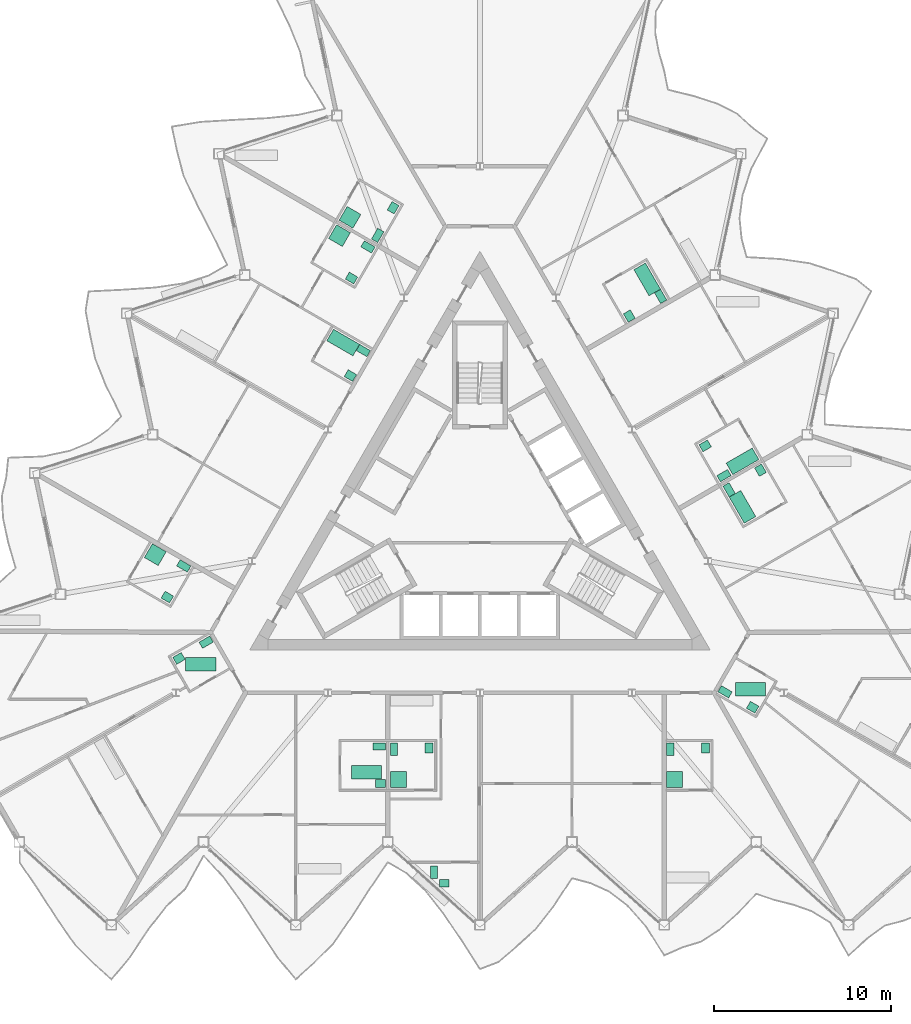
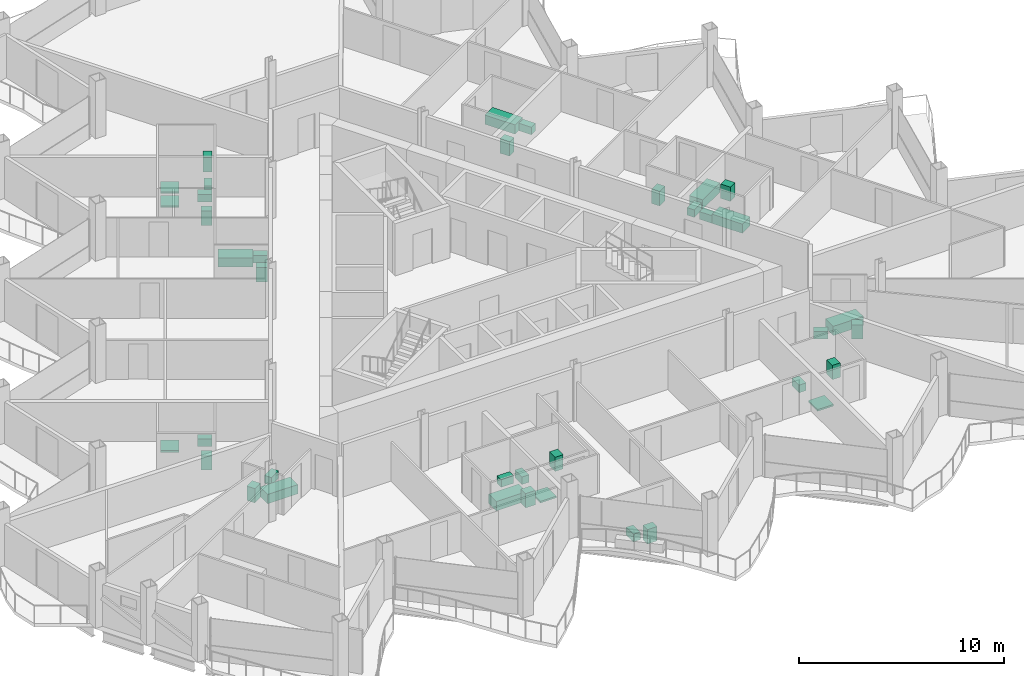
# One storey, part 25 of 26: 38 sanitary terminals.
"""IFC4 building model written with IfcOpenShell, lengths in metres."""

import ifcopenshell
import ifcopenshell.guid

model = None  # the IFC model being written
_history = None  # IfcOwnerHistory: only IFC2X3 demands one
_inside = {}  # id of a spatial element -> (the spatial element, [elements in it])
_under = {}  # id of a project, library or spatial element -> (it, [spatial elements below it])
_declared = {}  # id of a project -> (the project, [libraries it declares])
_typed = {}  # id of a type object -> (the type object, [elements of that type])
_made_of = {}  # id of a material, layer set ... -> (it, [elements and type objects made of it])


def new_model(schema):
    """Start an empty IFC model of exactly this schema.

    Asked for "IFC4X3", IfcOpenShell would pick the latest addendum, in which some entities
    have other attributes; the version numbers below select the first issue.
    IFC2X3 requires an IfcOwnerHistory on every rooted entity: one is made here for all.
    """
    global model, _history
    if schema == "IFC4X3":
        model = ifcopenshell.file(schema_version=(4, 3, 0, 0))
    else:
        model = ifcopenshell.file(schema=schema)
    _inside.clear()
    _under.clear()
    _declared.clear()
    _typed.clear()
    _made_of.clear()
    _history = None
    if model.schema == "IFC2X3":
        org = make("IfcOrganization", Name="unknown")
        user = make(
            "IfcPersonAndOrganization",
            ThePerson=make("IfcPerson", FamilyName="unknown"),
            TheOrganization=org,
        )
        app = make(
            "IfcApplication",
            ApplicationDeveloper=org,
            Version="unknown",
            ApplicationFullName="unknown",
            ApplicationIdentifier="unknown",
        )
        _history = make(
            "IfcOwnerHistory",
            OwningUser=user,
            OwningApplication=app,
            ChangeAction="ADDED",
            CreationDate=0,
        )
    return model


def make(cls, **values):
    """One entity of the class cls with the attributes given. An attribute that is None is left unset."""
    return model.create_entity(
        cls, **{name: value for name, value in values.items() if value is not None}
    )


def rooted(cls, **values):
    """An entity with a GlobalId (a new one), such as an element, a storey or a relation."""
    return make(cls, GlobalId=ifcopenshell.guid.new(), OwnerHistory=_history, **values)


def si_unit(unit_type, name, prefix=None):
    """IfcSIUnit, for example si_unit("LENGTHUNIT", "METRE", prefix="MILLI")."""
    return make("IfcSIUnit", UnitType=unit_type, Prefix=prefix, Name=name)


def assignment(units):
    """IfcUnitAssignment: the units of a project."""
    return None if units is None else make("IfcUnitAssignment", Units=units)


def point(xyz):
    """IfcCartesianPoint."""
    return None if xyz is None else make("IfcCartesianPoint", Coordinates=xyz)


def direction(xyz):
    """IfcDirection."""
    return None if xyz is None else make("IfcDirection", DirectionRatios=xyz)


def frame(location, z_axis=None, x_axis=None):
    """IfcAxis2Placement3D, a coordinate frame: its origin and axes. An axis left out is left unset."""
    return make(
        "IfcAxis2Placement3D",
        Location=point(location),
        Axis=direction(z_axis),
        RefDirection=direction(x_axis),
    )


def frame_2d(location, x_axis=None):
    """IfcAxis2Placement2D, a coordinate frame in the plane: its origin and x axis."""
    return make(
        "IfcAxis2Placement2D", Location=point(location), RefDirection=direction(x_axis)
    )


def origin():
    """The frame at (0, 0, 0) with its axes left unset."""
    return frame((0.0, 0.0, 0.0))


def origin_2d():
    """The frame at (0, 0) in the plane with its x axis left unset."""
    return frame_2d((0.0, 0.0))


def place(relative_to, where):
    """IfcLocalPlacement: puts the frame where relative to a parent placement (None: the world)."""
    return make(
        "IfcLocalPlacement", PlacementRelTo=relative_to, RelativePlacement=where
    )


def context(
    kind, dimensions, precision=None, world=None, true_north=None, identifier=None
):
    """IfcGeometricRepresentationContext, for example the 3D "Model" context."""
    return make(
        "IfcGeometricRepresentationContext",
        ContextIdentifier=identifier,
        ContextType=kind,
        CoordinateSpaceDimension=dimensions,
        Precision=precision,
        WorldCoordinateSystem=world,
        TrueNorth=true_north,
    )


def subcontext(parent, identifier, kind, view, scale=None):
    """IfcGeometricRepresentationSubContext, for example "Body" below "Model"."""
    return make(
        "IfcGeometricRepresentationSubContext",
        ContextIdentifier=identifier,
        ContextType=kind,
        ParentContext=parent,
        TargetScale=scale,
        TargetView=view,
    )


def project(units=None, contexts=None):
    """IfcProject with its units and contexts."""
    return rooted(
        "IfcProject",
        Name="project",
        RepresentationContexts=contexts,
        UnitsInContext=assignment(units),
    )


def spatial(cls, under=None, at=None, **own):
    """A site, building, storey or space (cls), placed at a placement, below another one or the project."""
    s = rooted(cls, ObjectPlacement=at, **own)
    if under is not None:
        _under.setdefault(under.id(), (under, []))[1].append(s)
    return s


def profile(cls, at=None, kind="AREA", **sizes):
    """A parametric profile (cls). Its sizes go by their IFC names, for example OverallWidth=200.0."""
    return make(cls, ProfileType=kind, Position=at, **sizes)


def rectangle(**sizes):
    """IfcRectangleProfileDef."""
    return profile("IfcRectangleProfileDef", **sizes)


def extrude(swept, where, along, depth):
    """IfcExtrudedAreaSolid: the profile swept, set in the frame where, extruded along a direction by depth."""
    return make(
        "IfcExtrudedAreaSolid",
        SweptArea=swept,
        Position=where,
        ExtrudedDirection=direction(along),
        Depth=depth,
    )


def shape(context_of_items, identifier, shape_type, items):
    """IfcShapeRepresentation: the items that make up one representation, for example the "Body"."""
    return make(
        "IfcShapeRepresentation",
        ContextOfItems=context_of_items,
        RepresentationIdentifier=identifier,
        RepresentationType=shape_type,
        Items=items,
    )


def material(Name=None, Category=None):
    """IfcMaterial."""
    return make("IfcMaterial", Name=Name, Category=Category)


def made_of(thing, what):
    """Note that an element or type object is made of a material, layer set ...; save() writes the relation."""
    if what is not None:
        _made_of.setdefault(what.id(), (what, []))[1].append(thing)
    return thing


def type_object(cls, material=None, **own):
    """A type object (cls), such as IfcWallType, which elements share."""
    return made_of(rooted(cls, **own), material)


def element(
    cls,
    number,
    at=None,
    inside=None,
    cuts=None,
    type_object=None,
    material=None,
    context=None,
    identifier="Body",
    shape_type=None,
    held_by="IfcProductDefinitionShape",
    body=None,
    shapes=None,
    **own,
):
    """One element of the class cls, such as IfcWall. Its Tag is "e" and its number.

    at: its placement. inside: the storey or other place that contains it. cuts: it is an
    opening in that element (IfcRelVoidsElement). A single representation is given by context,
    identifier, shape_type and body (its items); several are given by shapes. held_by: the class
    of the entity that holds the representations. save() writes the other relations.
    """
    e = rooted(cls, Tag="e%d" % number, ObjectPlacement=at, **own)
    if body is not None:
        shapes = [shape(context, identifier, shape_type, body)]
    if shapes is not None:
        e.Representation = make(held_by, Representations=shapes)
    if inside is not None:
        _inside.setdefault(inside.id(), (inside, []))[1].append(e)
    if cuts is not None:
        rooted(
            "IfcRelVoidsElement", RelatingBuildingElement=cuts, RelatedOpeningElement=e
        )
    if type_object is not None:
        _typed.setdefault(type_object.id(), (type_object, []))[1].append(e)
    return made_of(e, material)


def aggregate(whole, parts):
    """IfcRelAggregates: a whole, such as a stair, and the parts it consists of."""
    return rooted("IfcRelAggregates", RelatingObject=whole, RelatedObjects=parts)


def save(model, path):
    """Write the relations noted so far, then the file.

    IfcRelAggregates (storeys below a building ...), IfcRelContainedInSpatialStructure (elements
    in a storey), IfcRelDefinesByType, IfcRelAssociatesMaterial and IfcRelDeclares: one each for
    every whole, place, type object, material and project.
    """
    for whole, parts in _under.values():
        aggregate(whole, parts)
    for where, things in _inside.values():
        rooted(
            "IfcRelContainedInSpatialStructure",
            RelatedElements=things,
            RelatingStructure=where,
        )
    for kind, things in _typed.values():
        rooted("IfcRelDefinesByType", RelatedObjects=things, RelatingType=kind)
    for what, things in _made_of.values():
        rooted("IfcRelAssociatesMaterial", RelatedObjects=things, RelatingMaterial=what)
    for by, libraries in _declared.values():
        rooted("IfcRelDeclares", RelatingContext=by, RelatedDefinitions=libraries)
    model.write(path)


model = new_model("IFC4")

# Units and contexts
model_context = context("Model", 3, precision=1e-05, world=origin(), true_north=direction((0.0, 1.0)))
body_context = subcontext(model_context, "Body", "Model", "MODEL_VIEW")
ifc_project = project(units=[si_unit("LENGTHUNIT", "METRE"), si_unit("AREAUNIT", "SQUARE_METRE"), si_unit("VOLUMEUNIT", "CUBIC_METRE"), si_unit("PLANEANGLEUNIT", "RADIAN"), si_unit("MASSUNIT", "GRAM", prefix="KILO")], contexts=[model_context])

# Site, building, storey
site_placement = place(None, origin())
site = spatial("IfcSite", under=ifc_project, at=site_placement, CompositionType="ELEMENT")
building_placement = place(site_placement, origin())
building = spatial("IfcBuilding", under=site, at=building_placement, Name="Cormorant Prow Tower", CompositionType="ELEMENT")
storey_placement = place(building_placement, frame((0.0, 0.0, 339.199951171875)))
storey = spatial("IfcBuildingStorey", under=building, at=storey_placement, Name="L76", CompositionType="ELEMENT", Elevation=339.199951171875)

# Sanitary terminals
ifc_material_1 = material(Name="Vitreous china")
sanitary_terminal_type_1 = type_object("IfcSanitaryTerminalType", Name="Bath 1700x750", PredefinedType="BATH", material=ifc_material_1)
for number, where, z_axis, x_axis, name in (
    (1, (-6.402587890625, -14.385498046875, 0.0), (0.0, 0.0, 1.0), (1.0, 0.0, 0.0), "Bath"),
    (2, (15.2607421875, -9.70068359375, 0.0), (0.0, 0.0, 1.0), (1.0, 0.0, 0.0), "Bath"),
    (3, (14.818359375, 0.5849609375, 0.0), (0.0, 0.0, 1.0), (-0.5, 0.866025403784, 0.0), "Bath"),
    (4, (14.818603515625, 3.154296875, 0.0), (0.0, 0.0, 1.0), (-0.866025403784, -0.5, 0.0), "Bath"),
    (5, (9.43994140625, 13.42041015625, 0.0), (0.0, 0.0, 1.0), (0.5, -0.866025403784, 0.0), "Bath"),
    (6, (-7.71630859375, 9.856201171875, 0.0), (0.0, 0.0, 1.0), (0.866025403784, -0.5, 0.0), "Bath"),
    (7, (-15.75244140625, -8.29248046875, 0.0), (0.0, 0.0, 1.0), (1.0, 0.0, 0.0), "Bath"),
):
    element("IfcSanitaryTerminal", number, at=place(storey_placement, frame(where, z_axis=z_axis, x_axis=x_axis)), inside=storey, type_object=sanitary_terminal_type_1, Name=name, PredefinedType="BATH", context=body_context, shape_type="SweptSolid", body=[
        extrude(rectangle(XDim=1.699951171875, YDim=0.75, at=origin_2d()), origin(), (0.0, 0.0, 1.0), 0.550048828125),
    ])
ifc_material_2 = material(Name="Vitreous china")
sanitary_terminal_type_2 = type_object("IfcSanitaryTerminalType", Name="Shower tray 900x900", PredefinedType="SHOWER", material=ifc_material_2)
for number, where, z_axis, x_axis, name in (
    (8, (-4.6025390625, -14.810546875, 0.0), (0.0, 0.0, 1.0), (0.0, 1.0, 0.0), "Shower tray"),
    (9, (10.989990234375, -14.810546875, 0.0), (0.0, 0.0, 1.0), (0.0, 1.0, 0.0), "Shower tray"),
    (10, (-7.331298828125, 16.9228515625, 0.0), (0.0, 0.0, 1.0), (0.5, 0.866025403784, 0.0), "Shower tray"),
    (11, (-7.92626953125, 15.892333984375, 0.0), (0.0, 0.0, 1.0), (0.866025403784, -0.5, 0.0), "Shower tray"),
    (12, (-18.3212890625, -2.1123046875, 0.0), (0.0, 0.0, 1.0), (0.866025403784, -0.5, 0.0), "Shower tray"),
):
    element("IfcSanitaryTerminal", number, at=place(storey_placement, frame(where, z_axis=z_axis, x_axis=x_axis)), inside=storey, type_object=sanitary_terminal_type_2, Name=name, PredefinedType="SHOWER", context=body_context, shape_type="SweptSolid", body=[
        extrude(rectangle(XDim=0.89990234375, YDim=0.89990234375, at=origin_2d()), origin(), (0.0, 0.0, 1.0), 0.10009765625),
    ])
ifc_material_3 = material(Name="Vitreous china")
sanitary_terminal_type_3 = type_object("IfcSanitaryTerminalType", Name="Wash basin 550x450", PredefinedType="WASHHANDBASIN", material=ifc_material_3)
for number, where, z_axis, x_axis, name in (
    (13, (-5.617431640625, -15.03564453125, 0.0), (0.0, 0.0, 1.0), (-1.0, 0.0, 0.0), "Wash basin"),
    (14, (-2.009033203125, -20.656982421875, 0.0), (0.0, 0.0, 1.0), (1.0, 0.0, 0.0), "Wash basin"),
    (15, (-2.867431640625, -13.025634765625, 0.0), (0.0, 0.0, 1.0), (0.0, -1.0, 0.0), "Wash basin"),
    (16, (12.72509765625, -13.025634765625, 0.0), (0.0, 0.0, 1.0), (0.0, -1.0, 0.0), "Wash basin"),
    (17, (15.390380859375, -10.72509765625, 0.0), (0.0, 0.0, 1.0), (-0.866025403784, 0.5, 0.0), "Wash basin"),
    (18, (15.829833984375, 2.65283203125, 0.0), (0.0, 0.0, 1.0), (0.5, -0.866025403784, 0.0), "Wash basin"),
    (19, (12.714111328125, 4.029296875, 0.0), (0.0, 0.0, 1.0), (0.866025403784, 0.5, 0.0), "Wash basin"),
    (20, (8.428466796875, 11.352783203125, 0.0), (0.0, 0.0, 1.0), (-0.5, 0.866025403784, 0.0), "Wash basin"),
    (21, (-4.899658203125, 17.464599609375, 0.0), (0.0, 0.0, 1.0), (-0.5, -0.866025403784, 0.0), "Wash basin"),
    (22, (-7.308349609375, 7.992431640625, 0.0), (0.0, 0.0, 1.0), (-0.866025403784, 0.5, 0.0), "Wash basin"),
    (23, (-7.247802734375, 13.497314453125, 0.0), (0.0, 0.0, 1.0), (-0.866025403784, 0.5, 0.0), "Wash basin"),
    (24, (-17.64306640625, -4.50732421875, 0.0), (0.0, 0.0, 1.0), (-0.866025403784, 0.5, 0.0), "Wash basin"),
    (25, (-16.9833984375, -7.966064453125, 0.0), (0.0, 0.0, 1.0), (0.866025403784, 0.5, 0.0), "Wash basin"),
):
    element("IfcSanitaryTerminal", number, at=place(storey_placement, frame(where, z_axis=z_axis, x_axis=x_axis)), inside=storey, type_object=sanitary_terminal_type_3, Name=name, PredefinedType="WASHHANDBASIN", context=body_context, shape_type="SweptSolid", body=[
        extrude(rectangle(XDim=0.550048828125, YDim=0.449951171875, at=origin_2d()), origin(), (0.0, 0.0, 1.0), 0.85009765625),
    ])
ifc_material_4 = material(Name="Vitreous china")
sanitary_terminal_type_4 = type_object("IfcSanitaryTerminalType", Name="Water closet 400x700", PredefinedType="WCSEAT", material=ifc_material_4)
for number, where, z_axis, x_axis, name in (
    (26, (-5.6923828125, -12.95068359375, 0.0), (0.0, 0.0, 1.0), (0.0, -1.0, 0.0), "Water closet"),
    (27, (-2.583984375, -20.031982421875, 0.0), (0.0, 0.0, 1.0), (1.0, 0.0, 0.0), "Water closet"),
    (28, (-4.8525390625, -13.1005859375, 0.0), (0.0, 0.0, 1.0), (1.0, 0.0, 0.0), "Water closet"),
    (29, (10.739990234375, -13.1005859375, 0.0), (0.0, 0.0, 1.0), (1.0, 0.0, 0.0), "Water closet"),
    (30, (13.83203125, -9.854248046875, 0.0), (0.0, 0.0, 1.0), (0.5, 0.866025403784, 0.0), "Water closet"),
    (31, (14.061767578125, 1.54541015625, 0.0), (0.0, 0.0, 1.0), (0.866025403784, 0.5, 0.0), "Water closet"),
    (32, (13.771728515625, 2.347900390625, 0.0), (0.0, 0.0, 1.0), (-0.5, 0.866025403784, 0.0), "Water closet"),
    (33, (10.196533203125, 12.460205078125, 0.0), (0.0, 0.0, 1.0), (-0.866025403784, -0.5, 0.0), "Water closet"),
    (34, (-5.7705078125, 15.90625, 0.0), (0.0, 0.0, 1.0), (-0.866025403784, 0.5, 0.0), "Water closet"),
    (35, (-6.580810546875, 9.402587890625, 0.0), (0.0, 0.0, 1.0), (-0.5, -0.866025403784, 0.0), "Water closet"),
    (36, (-6.3203125, 15.25390625, 0.0), (0.0, 0.0, 1.0), (-0.5, -0.866025403784, 0.0), "Water closet"),
    (37, (-16.71533203125, -2.7509765625, 0.0), (0.0, 0.0, 1.0), (-0.5, -0.866025403784, 0.0), "Water closet"),
    (38, (-15.4501953125, -7.0517578125, 0.0), (0.0, 0.0, 1.0), (0.5, -0.866025403784, 0.0), "Water closet"),
):
    element("IfcSanitaryTerminal", number, at=place(storey_placement, frame(where, z_axis=z_axis, x_axis=x_axis)), inside=storey, type_object=sanitary_terminal_type_4, Name=name, PredefinedType="WCSEAT", context=body_context, shape_type="SweptSolid", body=[
        extrude(rectangle(XDim=0.39990234375, YDim=0.699951171875, at=origin_2d()), origin(), (0.0, 0.0, 1.0), 0.449951171875),
    ])

save(model, "model.ifc")
